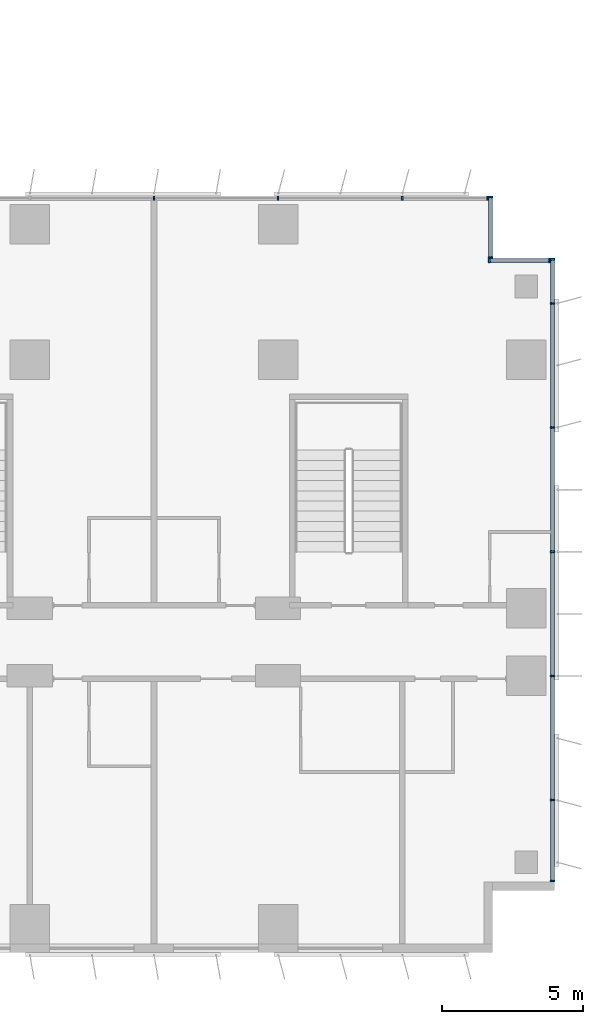
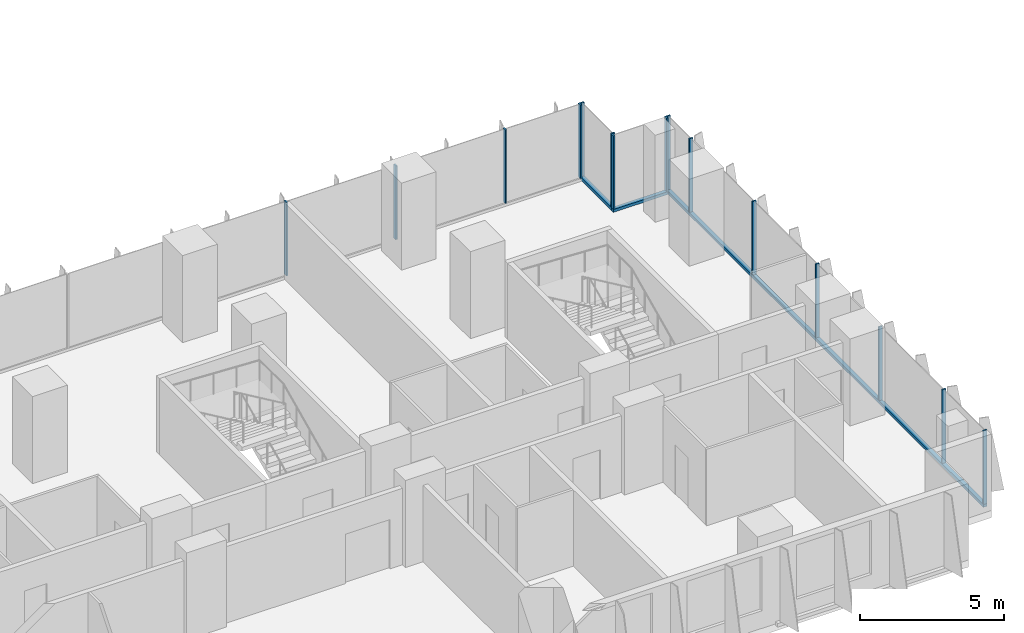
# One storey, part 8 of 23: 18 members, 4 elements without a shape of their own.
"""IFC4 building model written with IfcOpenShell, lengths in metres."""

from ifc_helpers import new_model, si_unit, direction, frame, origin, origin_2d, place, context, subcontext, project, spatial, rectangle, extrude, source, transform, mapped, material, material_profile, profile_set, type_object, element, aggregate, save


model = new_model("IFC4")

# Units and contexts
model_context = context("Model", 3, precision=1e-05, world=origin(), true_north=direction((0.0, 1.0)))
body_context = subcontext(model_context, "Body", "Model", "MODEL_VIEW")
ifc_project = project(units=[si_unit("LENGTHUNIT", "METRE"), si_unit("AREAUNIT", "SQUARE_METRE"), si_unit("VOLUMEUNIT", "CUBIC_METRE"), si_unit("PLANEANGLEUNIT", "RADIAN"), si_unit("MASSUNIT", "GRAM", prefix="KILO")], contexts=[model_context])

# Site, building, storey
site_placement = place(None, origin())
site = spatial("IfcSite", under=ifc_project, at=site_placement, CompositionType="ELEMENT")
building_placement = place(site_placement, origin())
building = spatial("IfcBuilding", under=site, at=building_placement, Name="Kemantara Hotel Tower", CompositionType="ELEMENT")
storey_placement = place(building_placement, frame((0.0, 0.0, 67.300048828125)))
storey = spatial("IfcBuildingStorey", under=building, at=storey_placement, Name="L15", CompositionType="ELEMENT", Elevation=67.300048828125)

# Curtain wall, member
ifc_material_1 = material(Name="Low-E tinted double insulated glass 36 mm", Category="glass")
curtain_wall_type = type_object("IfcCurtainWallType", Name="TOWER CURTAIN WALL, FRONT FACES", PredefinedType="USERDEFINED", material=ifc_material_1)
curtain_wall_1_placement = place(storey_placement, origin())
curtain_wall_1 = element("IfcCurtainWall", 1, at=curtain_wall_1_placement, inside=storey, type_object=curtain_wall_type, Name="CW4 L15 T1-R04-1", ObjectType="TOWER CURTAIN WALL, FRONT FACES", PredefinedType="USERDEFINED")
ifc_material_2 = material(Name="Aluminium 6063-T6 bronze anodised", Category="aluminium")
ifc_material_profile_1 = material_profile(ifc_material_2, rectangle(XDim=0.14990234375, YDim=0.1201171875, at=origin_2d()), Name="TOWER CURTAIN WALL, FRONT FACES TRANSOM")
ifc_profile_set_1 = profile_set([ifc_material_profile_1], Name="Aluminium 6063-T6 bronze anodised")
member_type_1 = type_object("IfcMemberType", Name="TOWER CURTAIN WALL, FRONT FACES TRANSOM", PredefinedType="USERDEFINED", material=ifc_profile_set_1)
member_1_placement = place(storey_placement, frame((81.125, 2.5, 0.06005859375), z_axis=(0.0, 1.0, 0.0), x_axis=(-1.0, 0.0, 0.0)))
member_1 = element("IfcMember", 2, at=member_1_placement, type_object=member_type_1, Name="CW4 sill transom T1-R04-1", ObjectType="TRANSOM", PredefinedType="USERDEFINED", context=body_context, shape_type="SweptSolid", body=[
    extrude(rectangle(XDim=0.14990234375, YDim=0.1201171875, at=origin_2d()), origin(), (0.0, 0.0, 1.0), 22.10009765625),
])

curtain_wall_2_placement = place(storey_placement, origin())
curtain_wall_2 = element("IfcCurtainWall", 3, at=curtain_wall_2_placement, inside=storey, type_object=curtain_wall_type, Name="CW4 L15 T1-R05-1", ObjectType="TOWER CURTAIN WALL, FRONT FACES", PredefinedType="USERDEFINED")
member_2_placement = place(storey_placement, frame((81.050048828125, 24.52490234375, 0.06005859375), z_axis=(-1.0, 0.0, 0.0), x_axis=(0.0, -1.0, 0.0)))
member_2 = element("IfcMember", 4, at=member_2_placement, type_object=member_type_1, Name="CW4 sill transom T1-R05-1", ObjectType="TRANSOM", PredefinedType="USERDEFINED", context=body_context, shape_type="SweptSolid", body=[
    extrude(rectangle(XDim=0.14990234375, YDim=0.1201171875, at=origin_2d()), origin(), (0.0, 0.0, 1.0), 2.199951171875),
])

curtain_wall_3_placement = place(storey_placement, origin())
curtain_wall_3 = element("IfcCurtainWall", 5, at=curtain_wall_3_placement, inside=storey, type_object=curtain_wall_type, Name="CW4 L15 T1-R06-1", ObjectType="TOWER CURTAIN WALL, FRONT FACES", PredefinedType="USERDEFINED")
member_3_placement = place(storey_placement, frame((78.925048828125, 24.60009765625, 0.06005859375), z_axis=(0.0, 1.0, 0.0), x_axis=(-1.0, 0.0, 0.0)))
member_3 = element("IfcMember", 6, at=member_3_placement, type_object=member_type_1, Name="CW4 sill transom T1-R06-1", ObjectType="TRANSOM", PredefinedType="USERDEFINED", context=body_context, shape_type="SweptSolid", body=[
    extrude(rectangle(XDim=0.14990234375, YDim=0.1201171875, at=origin_2d()), origin(), (0.0, 0.0, 1.0), 2.199951171875),
])

# Member
ifc_material_profile_2 = material_profile(ifc_material_2, rectangle(XDim=0.14990234375, YDim=0.06005859375, at=origin_2d()), Name="TOWER CURTAIN WALL, FRONT FACES MULLION")
ifc_profile_set_2 = profile_set([ifc_material_profile_2], Name="Aluminium 6063-T6 bronze anodised")
member_type_2 = type_object("IfcMemberType", Name="TOWER CURTAIN WALL, FRONT FACES MULLION", PredefinedType="MULLION", material=ifc_profile_set_2)
shared_shape = source(origin(), body_context, "Body", "SweptSolid", [
    extrude(rectangle(XDim=0.14990234375, YDim=0.06005859375, at=origin_2d()), origin(), (0.0, 0.0, 1.0), 3.130126953125),
])
member_4_placement = place(storey_placement, frame((81.125, 2.530029296875, 0.119873046875), z_axis=(0.0, 0.0, 1.0), x_axis=(-1.0, 0.0, 0.0)))
member_4 = element("IfcMember", 7, at=member_4_placement, type_object=member_type_2, Name="CW4 mullion T1-R04-1.1", PredefinedType="MULLION", context=body_context, shape_type="MappedRepresentation", body=[
    mapped(shared_shape, transform((0.0, 0.0, 0.0))),
])

member_5_placement = place(storey_placement, frame((81.125, 5.39990234375, 0.119873046875), z_axis=(0.0, 0.0, 1.0), x_axis=(-1.0, 0.0, 0.0)))
member_5 = element("IfcMember", 8, at=member_5_placement, type_object=member_type_2, Name="CW4 mullion T1-R04-1.2", PredefinedType="MULLION", context=body_context, shape_type="MappedRepresentation", body=[
    mapped(shared_shape, transform((0.0, 0.0, 0.0))),
])

member_6_placement = place(storey_placement, frame((81.125, 9.800048828125, 0.119873046875), z_axis=(0.0, 0.0, 1.0), x_axis=(-1.0, 0.0, 0.0)))
member_6 = element("IfcMember", 9, at=member_6_placement, type_object=member_type_2, Name="CW4 mullion T1-R04-1.3", PredefinedType="MULLION", context=body_context, shape_type="MappedRepresentation", body=[
    mapped(shared_shape, transform((0.0, 0.0, 0.0))),
])

member_7_placement = place(storey_placement, frame((81.125, 14.199951171875, 0.119873046875), z_axis=(0.0, 0.0, 1.0), x_axis=(-1.0, 0.0, 0.0)))
member_7 = element("IfcMember", 10, at=member_7_placement, type_object=member_type_2, Name="CW4 mullion T1-R04-1.4", PredefinedType="MULLION", context=body_context, shape_type="MappedRepresentation", body=[
    mapped(shared_shape, transform((0.0, 0.0, 0.0))),
])

member_8_placement = place(storey_placement, frame((81.125, 18.60009765625, 0.119873046875), z_axis=(0.0, 0.0, 1.0), x_axis=(-1.0, 0.0, 0.0)))
member_8 = element("IfcMember", 11, at=member_8_placement, type_object=member_type_2, Name="CW4 mullion T1-R04-1.5", PredefinedType="MULLION", context=body_context, shape_type="MappedRepresentation", body=[
    mapped(shared_shape, transform((0.0, 0.0, 0.0))),
])

member_9_placement = place(storey_placement, frame((81.125, 23.0, 0.119873046875), z_axis=(0.0, 0.0, 1.0), x_axis=(-1.0, 0.0, 0.0)))
member_9 = element("IfcMember", 12, at=member_9_placement, type_object=member_type_2, Name="CW4 mullion T1-R04-1.6", PredefinedType="MULLION", context=body_context, shape_type="MappedRepresentation", body=[
    mapped(shared_shape, transform((0.0, 0.0, 0.0))),
])

member_10_placement = place(storey_placement, frame((81.125, 24.570068359375, 0.119873046875), z_axis=(0.0, 0.0, 1.0), x_axis=(-1.0, 0.0, 0.0)))
member_10 = element("IfcMember", 13, at=member_10_placement, type_object=member_type_2, Name="CW4 mullion T1-R04-1.7", PredefinedType="MULLION", context=body_context, shape_type="MappedRepresentation", body=[
    mapped(shared_shape, transform((0.0, 0.0, 0.0))),
])

aggregate(curtain_wall_1, [member_1, member_4, member_5, member_6, member_7, member_8, member_9, member_10])

# Curtain wall, members
curtain_wall_4_placement = place(storey_placement, origin())
curtain_wall_4 = element("IfcCurtainWall", 14, at=curtain_wall_4_placement, inside=storey, type_object=curtain_wall_type, Name="CW4 L15 T1-R07-1", ObjectType="TOWER CURTAIN WALL, FRONT FACES", PredefinedType="USERDEFINED")
member_11_placement = place(storey_placement, frame((78.820068359375, 26.72509765625, 0.119873046875), z_axis=(0.0, 0.0, 1.0), x_axis=(0.0, -1.0, 0.0)))
member_11 = element("IfcMember", 15, at=member_11_placement, type_object=member_type_2, Name="CW4 mullion T1-R07-1.1", PredefinedType="MULLION", context=body_context, shape_type="MappedRepresentation", body=[
    mapped(shared_shape, transform((0.0, 0.0, 0.0))),
])
member_12_placement = place(storey_placement, frame((75.800048828125, 26.72509765625, 0.119873046875), z_axis=(0.0, 0.0, 1.0), x_axis=(0.0, -1.0, 0.0)))
member_12 = element("IfcMember", 16, at=member_12_placement, type_object=member_type_2, Name="CW4 mullion T1-R07-1.2", PredefinedType="MULLION", context=body_context, shape_type="MappedRepresentation", body=[
    mapped(shared_shape, transform((0.0, 0.0, 0.0))),
])
member_13_placement = place(storey_placement, frame((71.39990234375, 26.72509765625, 0.119873046875), z_axis=(0.0, 0.0, 1.0), x_axis=(0.0, -1.0, 0.0)))
member_13 = element("IfcMember", 17, at=member_13_placement, type_object=member_type_2, Name="CW4 mullion T1-R07-1.3", PredefinedType="MULLION", context=body_context, shape_type="MappedRepresentation", body=[
    mapped(shared_shape, transform((0.0, 0.0, 0.0))),
])
member_14_placement = place(storey_placement, frame((67.0, 26.72509765625, 0.119873046875), z_axis=(0.0, 0.0, 1.0), x_axis=(0.0, -1.0, 0.0)))
member_14 = element("IfcMember", 18, at=member_14_placement, type_object=member_type_2, Name="CW4 mullion T1-R07-1.4", PredefinedType="MULLION", context=body_context, shape_type="MappedRepresentation", body=[
    mapped(shared_shape, transform((0.0, 0.0, 0.0))),
])
aggregate(curtain_wall_4, [member_11, member_12, member_13, member_14])

# Member
member_15_placement = place(storey_placement, frame((81.02001953125, 24.52490234375, 0.119873046875), z_axis=(0.0, 0.0, 1.0), x_axis=(0.0, -1.0, 0.0)))
member_15 = element("IfcMember", 19, at=member_15_placement, type_object=member_type_2, Name="CW4 mullion T1-R05-1.1", PredefinedType="MULLION", context=body_context, shape_type="MappedRepresentation", body=[
    mapped(shared_shape, transform((0.0, 0.0, 0.0))),
])

member_16_placement = place(storey_placement, frame((78.8798828125, 24.52490234375, 0.119873046875), z_axis=(0.0, 0.0, 1.0), x_axis=(0.0, -1.0, 0.0)))
member_16 = element("IfcMember", 20, at=member_16_placement, type_object=member_type_2, Name="CW4 mullion T1-R05-1.2", PredefinedType="MULLION", context=body_context, shape_type="MappedRepresentation", body=[
    mapped(shared_shape, transform((0.0, 0.0, 0.0))),
])

aggregate(curtain_wall_2, [member_2, member_15, member_16])

member_17_placement = place(storey_placement, frame((78.925048828125, 24.6298828125, 0.119873046875), z_axis=(0.0, 0.0, 1.0), x_axis=(-1.0, 0.0, 0.0)))
member_17 = element("IfcMember", 21, at=member_17_placement, type_object=member_type_2, Name="CW4 mullion T1-R06-1.1", PredefinedType="MULLION", context=body_context, shape_type="MappedRepresentation", body=[
    mapped(shared_shape, transform((0.0, 0.0, 0.0))),
])

member_18_placement = place(storey_placement, frame((78.925048828125, 26.77001953125, 0.119873046875), z_axis=(0.0, 0.0, 1.0), x_axis=(-1.0, 0.0, 0.0)))
member_18 = element("IfcMember", 22, at=member_18_placement, type_object=member_type_2, Name="CW4 mullion T1-R06-1.2", PredefinedType="MULLION", context=body_context, shape_type="MappedRepresentation", body=[
    mapped(shared_shape, transform((0.0, 0.0, 0.0))),
])

aggregate(curtain_wall_3, [member_3, member_17, member_18])

save(model, "model.ifc")
